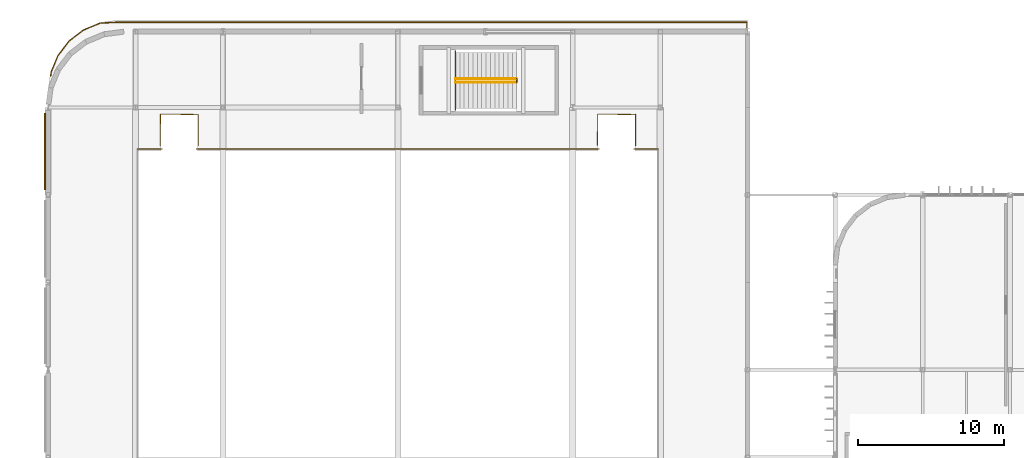
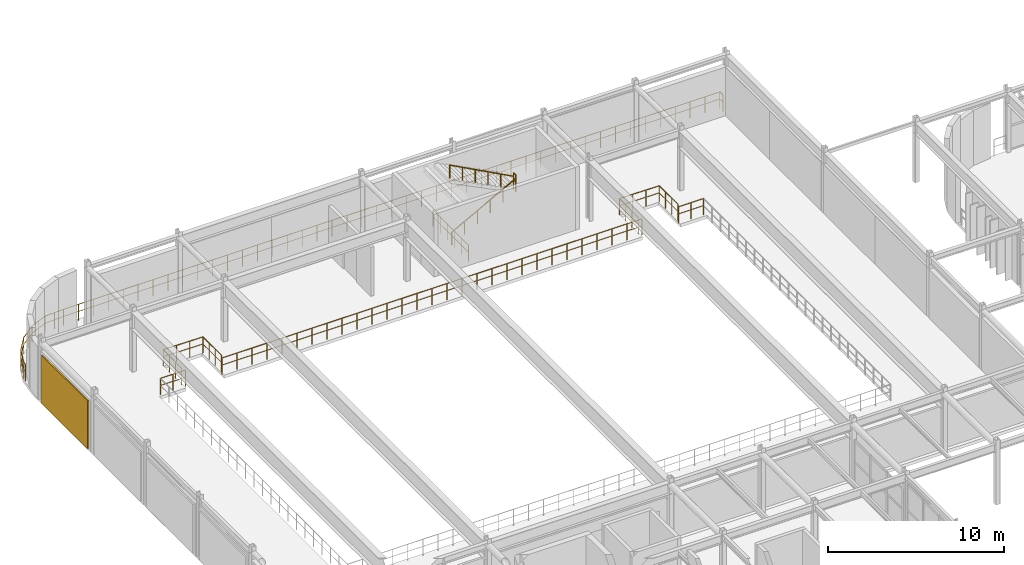
# One storey, part 89 of 96: 11 railings, 1 shading device.
"""IFC4 building model written with IfcOpenShell, lengths in metres."""

from ifc_helpers import new_model, si_unit, direction, frame, origin, origin_2d, place, context, subcontext, project, spatial, rectangle, circle, extrude, material, layer, layer_set, type_object, element, save


model = new_model("IFC4")

# Units and contexts
model_context = context("Model", 3, precision=1e-05, world=origin(), true_north=direction((0.0, 1.0)))
body_context = subcontext(model_context, "Body", "Model", "MODEL_VIEW")
ifc_project = project(units=[si_unit("LENGTHUNIT", "METRE"), si_unit("AREAUNIT", "SQUARE_METRE"), si_unit("VOLUMEUNIT", "CUBIC_METRE"), si_unit("PLANEANGLEUNIT", "RADIAN"), si_unit("MASSUNIT", "GRAM", prefix="KILO")], contexts=[model_context])

# Site, building, storey
site_placement = place(None, origin())
site = spatial("IfcSite", under=ifc_project, at=site_placement, CompositionType="ELEMENT")
building_placement = place(site_placement, origin())
building = spatial("IfcBuilding", under=site, at=building_placement, Name="Varnakota Square Police Headquarters", CompositionType="ELEMENT")
storey_placement = place(building_placement, frame((0.0, 0.0, 4.800048828125)))
storey = spatial("IfcBuildingStorey", under=building, at=storey_placement, Name="L01", CompositionType="ELEMENT", Elevation=4.800048828125)

# Railings
ifc_material_1 = material(Name="Galvanised Powder-Coated Steel Guardrail", Category="steel")
railing_type_1 = type_object("IfcRailingType", Name="RL-BAL-1150", PredefinedType="BALUSTRADE", material=ifc_material_1)
railing_1_placement = place(storey_placement, frame((6.17578125, 107.15283203125, 0.0)))
element("IfcRailing", 1, at=railing_1_placement, inside=storey, type_object=railing_type_1, Name="Perimeter edge safety guard GD-AUTO-L01-036", PredefinedType="BALUSTRADE", context=body_context, shape_type="SweptSolid", body=[
    extrude(circle(Radius=0.02392578125, at=origin_2d()), frame((0.0, 0.0, 1.1259765625), z_axis=(0.131360598818, 0.991334652415, 0.0), x_axis=(-0.991334652415, 0.131360598818, 0.0)), (0.0, 0.0, 1.0), 0.27880859375),
    extrude(circle(Radius=0.01806640625, at=origin_2d()), frame((0.0, 0.0, 0.63232421875), z_axis=(0.131360598818, 0.991334652415, 0.0), x_axis=(-0.991334652415, 0.131360598818, 0.0)), (0.0, 0.0, 1.0), 0.27880859375),
    extrude(circle(Radius=0.02392578125, at=origin_2d()), frame((0.03662109375, 0.2763671875, 1.1259765625), z_axis=(0.38260106809, 0.92391364461, 0.0), x_axis=(-0.92391364461, 0.38260106809, 0.0)), (0.0, 0.0, 1.0), 1.23974609375),
    extrude(circle(Radius=0.01806640625, at=origin_2d()), frame((0.03662109375, 0.2763671875, 0.63232421875), z_axis=(0.38260106809, 0.92391364461, 0.0), x_axis=(-0.92391364461, 0.38260106809, 0.0)), (0.0, 0.0, 1.0), 1.23974609375),
    extrude(circle(Radius=0.02392578125, at=origin_2d()), frame((0.510986328125, 1.421875, 1.1259765625), z_axis=(0.608815903339, 0.793311537696, 0.0), x_axis=(-0.793311537696, 0.608815903339, 0.0)), (0.0, 0.0, 1.0), 1.239990234375),
    extrude(circle(Radius=0.01806640625, at=origin_2d()), frame((0.510986328125, 1.421875, 0.63232421875), z_axis=(0.608815903339, 0.793311537696, 0.0), x_axis=(-0.793311537696, 0.608815903339, 0.0)), (0.0, 0.0, 1.0), 1.239990234375),
    extrude(circle(Radius=0.02392578125, at=origin_2d()), frame((1.265869140625, 2.405517578125, 1.1259765625), z_axis=(0.793311537696, 0.608815903339, 0.0), x_axis=(-0.608815903339, 0.793311537696, 0.0)), (0.0, 0.0, 1.0), 1.239990234375),
    extrude(circle(Radius=0.01806640625, at=origin_2d()), frame((1.265869140625, 2.405517578125, 0.63232421875), z_axis=(0.793311537696, 0.608815903339, 0.0), x_axis=(-0.608815903339, 0.793311537696, 0.0)), (0.0, 0.0, 1.0), 1.239990234375),
    extrude(circle(Radius=0.02392578125, at=origin_2d()), frame((2.24951171875, 3.160400390625, 1.1259765625), z_axis=(0.92391364461, 0.38260106809, 0.0), x_axis=(-0.38260106809, 0.92391364461, 0.0)), (0.0, 0.0, 1.0), 1.23974609375),
    extrude(circle(Radius=0.01806640625, at=origin_2d()), frame((2.24951171875, 3.160400390625, 0.63232421875), z_axis=(0.92391364461, 0.38260106809, 0.0), x_axis=(-0.38260106809, 0.92391364461, 0.0)), (0.0, 0.0, 1.0), 1.23974609375),
    extrude(circle(Radius=0.02392578125, at=origin_2d()), frame((3.39501953125, 3.634765625, 1.1259765625), z_axis=(0.99871656307, 0.05064806659, 0.0), x_axis=(-0.05064806659, 0.99871656307, 0.0)), (0.0, 0.0, 1.0), 1.23388671875),
    extrude(circle(Radius=0.01806640625, at=origin_2d()), frame((3.39501953125, 3.634765625, 0.63232421875), z_axis=(0.99871656307, 0.05064806659, 0.0), x_axis=(-0.05064806659, 0.99871656307, 0.0)), (0.0, 0.0, 1.0), 1.23388671875),
    extrude(circle(Radius=0.02392578125, at=origin_2d()), frame((4.62744140625, 3.697265625, 1.1259765625), z_axis=(1.0, 0.0, 0.0), x_axis=(0.0, 1.0, 0.0)), (0.0, 0.0, 1.0), 43.146728515625),
    extrude(circle(Radius=0.01806640625, at=origin_2d()), frame((4.62744140625, 3.697265625, 0.63232421875), z_axis=(1.0, 0.0, 0.0), x_axis=(0.0, 1.0, 0.0)), (0.0, 0.0, 1.0), 43.146728515625),
    extrude(circle(Radius=0.02392578125, at=origin_2d()), frame((47.774169921875, 3.697265625, 1.1259765625), z_axis=(0.0, -1.0, 0.0), x_axis=(1.0, 0.0, 0.0)), (0.0, 0.0, 1.0), 0.3505859375),
    extrude(circle(Radius=0.01806640625, at=origin_2d()), frame((47.774169921875, 3.697265625, 0.63232421875), z_axis=(0.0, -1.0, 0.0), x_axis=(1.0, 0.0, 0.0)), (0.0, 0.0, 1.0), 0.3505859375),
    extrude(circle(Radius=0.02099609375, at=origin_2d()), origin(), (0.0, 0.0, 1.0), 1.101806640625),
    extrude(circle(Radius=0.02099609375, at=origin_2d()), frame((0.03662109375, 0.2763671875, 0.0)), (0.0, 0.0, 1.0), 1.101806640625),
    extrude(circle(Radius=0.02099609375, at=origin_2d()), frame((0.27392578125, 0.84912109375, 0.0)), (0.0, 0.0, 1.0), 1.101806640625),
    extrude(circle(Radius=0.02099609375, at=origin_2d()), frame((0.510986328125, 1.421875, 0.0)), (0.0, 0.0, 1.0), 1.101806640625),
    extrude(circle(Radius=0.02099609375, at=origin_2d()), frame((0.888427734375, 1.91357421875, 0.0)), (0.0, 0.0, 1.0), 1.101806640625),
    extrude(circle(Radius=0.02099609375, at=origin_2d()), frame((1.265869140625, 2.405517578125, 0.0)), (0.0, 0.0, 1.0), 1.101806640625),
    extrude(circle(Radius=0.02099609375, at=origin_2d()), frame((1.7578125, 2.782958984375, 0.0)), (0.0, 0.0, 1.0), 1.101806640625),
    extrude(circle(Radius=0.02099609375, at=origin_2d()), frame((2.24951171875, 3.160400390625, 0.0)), (0.0, 0.0, 1.0), 1.101806640625),
    extrude(circle(Radius=0.02099609375, at=origin_2d()), frame((2.822265625, 3.3974609375, 0.0)), (0.0, 0.0, 1.0), 1.101806640625),
    extrude(circle(Radius=0.02099609375, at=origin_2d()), frame((3.39501953125, 3.634765625, 0.0)), (0.0, 0.0, 1.0), 1.101806640625),
    extrude(circle(Radius=0.02099609375, at=origin_2d()), frame((4.01123046875, 3.666015625, 0.0)), (0.0, 0.0, 1.0), 1.101806640625),
    extrude(circle(Radius=0.02099609375, at=origin_2d()), frame((4.62744140625, 3.697265625, 0.0)), (0.0, 0.0, 1.0), 1.101806640625),
    extrude(circle(Radius=0.02099609375, at=origin_2d()), frame((5.608154296875, 3.697265625, 0.0)), (0.0, 0.0, 1.0), 1.101806640625),
    extrude(circle(Radius=0.02099609375, at=origin_2d()), frame((6.588623046875, 3.697265625, 0.0)), (0.0, 0.0, 1.0), 1.101806640625),
    extrude(circle(Radius=0.02099609375, at=origin_2d()), frame((7.5693359375, 3.697265625, 0.0)), (0.0, 0.0, 1.0), 1.101806640625),
    extrude(circle(Radius=0.02099609375, at=origin_2d()), frame((8.5498046875, 3.697265625, 0.0)), (0.0, 0.0, 1.0), 1.101806640625),
    extrude(circle(Radius=0.02099609375, at=origin_2d()), frame((9.530517578125, 3.697265625, 0.0)), (0.0, 0.0, 1.0), 1.101806640625),
    extrude(circle(Radius=0.02099609375, at=origin_2d()), frame((10.510986328125, 3.697265625, 0.0)), (0.0, 0.0, 1.0), 1.101806640625),
    extrude(circle(Radius=0.02099609375, at=origin_2d()), frame((11.49169921875, 3.697265625, 0.0)), (0.0, 0.0, 1.0), 1.101806640625),
    extrude(circle(Radius=0.02099609375, at=origin_2d()), frame((12.472412109375, 3.697265625, 0.0)), (0.0, 0.0, 1.0), 1.101806640625),
    extrude(circle(Radius=0.02099609375, at=origin_2d()), frame((13.452880859375, 3.697265625, 0.0)), (0.0, 0.0, 1.0), 1.101806640625),
    extrude(circle(Radius=0.02099609375, at=origin_2d()), frame((14.43359375, 3.697265625, 0.0)), (0.0, 0.0, 1.0), 1.101806640625),
    extrude(circle(Radius=0.02099609375, at=origin_2d()), frame((15.4140625, 3.697265625, 0.0)), (0.0, 0.0, 1.0), 1.101806640625),
    extrude(circle(Radius=0.02099609375, at=origin_2d()), frame((16.394775390625, 3.697265625, 0.0)), (0.0, 0.0, 1.0), 1.101806640625),
    extrude(circle(Radius=0.02099609375, at=origin_2d()), frame((17.375244140625, 3.697265625, 0.0)), (0.0, 0.0, 1.0), 1.101806640625),
    extrude(circle(Radius=0.02099609375, at=origin_2d()), frame((18.35595703125, 3.697265625, 0.0)), (0.0, 0.0, 1.0), 1.101806640625),
    extrude(circle(Radius=0.02099609375, at=origin_2d()), frame((19.336669921875, 3.697265625, 0.0)), (0.0, 0.0, 1.0), 1.101806640625),
    extrude(circle(Radius=0.02099609375, at=origin_2d()), frame((20.317138671875, 3.697265625, 0.0)), (0.0, 0.0, 1.0), 1.101806640625),
    extrude(circle(Radius=0.02099609375, at=origin_2d()), frame((21.2978515625, 3.697265625, 0.0)), (0.0, 0.0, 1.0), 1.101806640625),
    extrude(circle(Radius=0.02099609375, at=origin_2d()), frame((22.2783203125, 3.697265625, 0.0)), (0.0, 0.0, 1.0), 1.101806640625),
    extrude(circle(Radius=0.02099609375, at=origin_2d()), frame((23.259033203125, 3.697265625, 0.0)), (0.0, 0.0, 1.0), 1.101806640625),
    extrude(circle(Radius=0.02099609375, at=origin_2d()), frame((24.239501953125, 3.697265625, 0.0)), (0.0, 0.0, 1.0), 1.101806640625),
    extrude(circle(Radius=0.02099609375, at=origin_2d()), frame((25.22021484375, 3.697265625, 0.0)), (0.0, 0.0, 1.0), 1.101806640625),
    extrude(circle(Radius=0.02099609375, at=origin_2d()), frame((26.20068359375, 3.697265625, 0.0)), (0.0, 0.0, 1.0), 1.101806640625),
    extrude(circle(Radius=0.02099609375, at=origin_2d()), frame((27.181396484375, 3.697265625, 0.0)), (0.0, 0.0, 1.0), 1.101806640625),
    extrude(circle(Radius=0.02099609375, at=origin_2d()), frame((28.162109375, 3.697265625, 0.0)), (0.0, 0.0, 1.0), 1.101806640625),
    extrude(circle(Radius=0.02099609375, at=origin_2d()), frame((29.142578125, 3.697265625, 0.0)), (0.0, 0.0, 1.0), 1.101806640625),
    extrude(circle(Radius=0.02099609375, at=origin_2d()), frame((30.123291015625, 3.697265625, 0.0)), (0.0, 0.0, 1.0), 1.101806640625),
    extrude(circle(Radius=0.02099609375, at=origin_2d()), frame((31.103759765625, 3.697265625, 0.0)), (0.0, 0.0, 1.0), 1.101806640625),
    extrude(circle(Radius=0.02099609375, at=origin_2d()), frame((32.08447265625, 3.697265625, 0.0)), (0.0, 0.0, 1.0), 1.101806640625),
    extrude(circle(Radius=0.02099609375, at=origin_2d()), frame((33.06494140625, 3.697265625, 0.0)), (0.0, 0.0, 1.0), 1.101806640625),
    extrude(circle(Radius=0.02099609375, at=origin_2d()), frame((34.045654296875, 3.697265625, 0.0)), (0.0, 0.0, 1.0), 1.101806640625),
    extrude(circle(Radius=0.02099609375, at=origin_2d()), frame((35.0263671875, 3.697265625, 0.0)), (0.0, 0.0, 1.0), 1.101806640625),
    extrude(circle(Radius=0.02099609375, at=origin_2d()), frame((36.0068359375, 3.697265625, 0.0)), (0.0, 0.0, 1.0), 1.101806640625),
    extrude(circle(Radius=0.02099609375, at=origin_2d()), frame((36.987548828125, 3.697265625, 0.0)), (0.0, 0.0, 1.0), 1.101806640625),
    extrude(circle(Radius=0.02099609375, at=origin_2d()), frame((37.968017578125, 3.697265625, 0.0)), (0.0, 0.0, 1.0), 1.101806640625),
    extrude(circle(Radius=0.02099609375, at=origin_2d()), frame((38.94873046875, 3.697265625, 0.0)), (0.0, 0.0, 1.0), 1.101806640625),
    extrude(circle(Radius=0.02099609375, at=origin_2d()), frame((39.92919921875, 3.697265625, 0.0)), (0.0, 0.0, 1.0), 1.101806640625),
    extrude(circle(Radius=0.02099609375, at=origin_2d()), frame((40.909912109375, 3.697265625, 0.0)), (0.0, 0.0, 1.0), 1.101806640625),
    extrude(circle(Radius=0.02099609375, at=origin_2d()), frame((41.890625, 3.697265625, 0.0)), (0.0, 0.0, 1.0), 1.101806640625),
    extrude(circle(Radius=0.02099609375, at=origin_2d()), frame((42.87109375, 3.697265625, 0.0)), (0.0, 0.0, 1.0), 1.101806640625),
    extrude(circle(Radius=0.02099609375, at=origin_2d()), frame((43.851806640625, 3.697265625, 0.0)), (0.0, 0.0, 1.0), 1.101806640625),
    extrude(circle(Radius=0.02099609375, at=origin_2d()), frame((44.832275390625, 3.697265625, 0.0)), (0.0, 0.0, 1.0), 1.101806640625),
    extrude(circle(Radius=0.02099609375, at=origin_2d()), frame((45.81298828125, 3.697265625, 0.0)), (0.0, 0.0, 1.0), 1.101806640625),
    extrude(circle(Radius=0.02099609375, at=origin_2d()), frame((46.79345703125, 3.697265625, 0.0)), (0.0, 0.0, 1.0), 1.101806640625),
    extrude(circle(Radius=0.02099609375, at=origin_2d()), frame((47.774169921875, 3.697265625, 0.0)), (0.0, 0.0, 1.0), 1.101806640625),
    extrude(circle(Radius=0.02099609375, at=origin_2d()), frame((47.774169921875, 3.3466796875, 0.0)), (0.0, 0.0, 1.0), 1.101806640625),
])
railing_2_placement = place(storey_placement, frame((46.304931640625, 104.5048828125, 0.0)))
element("IfcRailing", 2, at=railing_2_placement, inside=storey, type_object=railing_type_1, Name="Perimeter edge safety guard GD-AUTO-L01-047", PredefinedType="BALUSTRADE", context=body_context, shape_type="SweptSolid", body=[
    extrude(circle(Radius=0.02392578125, at=origin_2d()), frame((0.0, 0.0, 1.1259765625), z_axis=(-0.999887836595, 0.014977123506, 0.0), x_axis=(-0.014977123506, -0.999887836595, 0.0)), (0.0, 0.0, 1.0), 2.591796875),
    extrude(circle(Radius=0.01806640625, at=origin_2d()), frame((0.0, 0.0, 0.63232421875), z_axis=(-0.999887836595, 0.014977123506, 0.0), x_axis=(-0.014977123506, -0.999887836595, 0.0)), (0.0, 0.0, 1.0), 2.591796875),
    extrude(circle(Radius=0.02392578125, at=origin_2d()), frame((-2.591552734375, 0.038818359375, 1.1259765625), z_axis=(-0.008501166383, -0.999963864432, 0.0), x_axis=(0.999963864432, -0.008501166383, 0.0)), (0.0, 0.0, 1.0), 2.15380859375),
    extrude(circle(Radius=0.01806640625, at=origin_2d()), frame((-2.591552734375, 0.038818359375, 0.63232421875), z_axis=(-0.008501166383, -0.999963864432, 0.0), x_axis=(0.999963864432, -0.008501166383, 0.0)), (0.0, 0.0, 1.0), 2.15380859375),
    extrude(circle(Radius=0.02099609375, at=origin_2d()), origin(), (0.0, 0.0, 1.0), 1.101806640625),
    extrude(circle(Radius=0.02099609375, at=origin_2d()), frame((-0.86376953125, 0.012939453125, 0.0)), (0.0, 0.0, 1.0), 1.101806640625),
    extrude(circle(Radius=0.02099609375, at=origin_2d()), frame((-1.727783203125, 0.02587890625, 0.0)), (0.0, 0.0, 1.0), 1.101806640625),
    extrude(circle(Radius=0.02099609375, at=origin_2d()), frame((-2.591552734375, 0.038818359375, 0.0)), (0.0, 0.0, 1.0), 1.101806640625),
    extrude(circle(Radius=0.02099609375, at=origin_2d()), frame((-2.59765625, -0.67919921875, 0.0)), (0.0, 0.0, 1.0), 1.101806640625),
    extrude(circle(Radius=0.02099609375, at=origin_2d()), frame((-2.603759765625, -1.39697265625, 0.0)), (0.0, 0.0, 1.0), 1.101806640625),
    extrude(circle(Radius=0.02099609375, at=origin_2d()), frame((-2.60986328125, -2.114990234375, 0.0)), (0.0, 0.0, 1.0), 1.101806640625),
])
railing_3_placement = place(storey_placement, frame((16.304931640625, 102.389892578125, 0.0)))
element("IfcRailing", 3, at=railing_3_placement, inside=storey, type_object=railing_type_1, Name="Perimeter edge safety guard GD-AUTO-L01-048", PredefinedType="BALUSTRADE", context=body_context, shape_type="SweptSolid", body=[
    extrude(circle(Radius=0.02392578125, at=origin_2d()), frame((0.0, 0.0, 1.1259765625), z_axis=(0.0, 1.0, 0.0), x_axis=(-1.0, 0.0, 0.0)), (0.0, 0.0, 1.0), 2.114990234375),
    extrude(circle(Radius=0.01806640625, at=origin_2d()), frame((0.0, 0.0, 0.63232421875), z_axis=(0.0, 1.0, 0.0), x_axis=(-1.0, 0.0, 0.0)), (0.0, 0.0, 1.0), 2.114990234375),
    extrude(circle(Radius=0.02392578125, at=origin_2d()), frame((0.0, 2.114990234375, 1.1259765625), z_axis=(-0.999887836595, 0.014977123506, 0.0), x_axis=(-0.014977123506, -0.999887836595, 0.0)), (0.0, 0.0, 1.0), 2.591796875),
    extrude(circle(Radius=0.01806640625, at=origin_2d()), frame((0.0, 2.114990234375, 0.63232421875), z_axis=(-0.999887836595, 0.014977123506, 0.0), x_axis=(-0.014977123506, -0.999887836595, 0.0)), (0.0, 0.0, 1.0), 2.591796875),
    extrude(circle(Radius=0.02392578125, at=origin_2d()), frame((-2.591552734375, 2.15380859375, 1.1259765625), z_axis=(-0.008501166383, -0.999963864432, 0.0), x_axis=(0.999963864432, -0.008501166383, 0.0)), (0.0, 0.0, 1.0), 2.15380859375),
    extrude(circle(Radius=0.01806640625, at=origin_2d()), frame((-2.591552734375, 2.15380859375, 0.63232421875), z_axis=(-0.008501166383, -0.999963864432, 0.0), x_axis=(0.999963864432, -0.008501166383, 0.0)), (0.0, 0.0, 1.0), 2.15380859375),
    extrude(circle(Radius=0.02099609375, at=origin_2d()), origin(), (0.0, 0.0, 1.0), 1.101806640625),
    extrude(circle(Radius=0.02099609375, at=origin_2d()), frame((0.0, 0.705078125, 0.0)), (0.0, 0.0, 1.0), 1.101806640625),
    extrude(circle(Radius=0.02099609375, at=origin_2d()), frame((0.0, 1.409912109375, 0.0)), (0.0, 0.0, 1.0), 1.101806640625),
    extrude(circle(Radius=0.02099609375, at=origin_2d()), frame((0.0, 2.114990234375, 0.0)), (0.0, 0.0, 1.0), 1.101806640625),
    extrude(circle(Radius=0.02099609375, at=origin_2d()), frame((-0.86376953125, 2.1279296875, 0.0)), (0.0, 0.0, 1.0), 1.101806640625),
    extrude(circle(Radius=0.02099609375, at=origin_2d()), frame((-1.727783203125, 2.140869140625, 0.0)), (0.0, 0.0, 1.0), 1.101806640625),
    extrude(circle(Radius=0.02099609375, at=origin_2d()), frame((-2.591552734375, 2.15380859375, 0.0)), (0.0, 0.0, 1.0), 1.101806640625),
    extrude(circle(Radius=0.02099609375, at=origin_2d()), frame((-2.59765625, 1.435791015625, 0.0)), (0.0, 0.0, 1.0), 1.101806640625),
    extrude(circle(Radius=0.02099609375, at=origin_2d()), frame((-2.603759765625, 0.718017578125, 0.0)), (0.0, 0.0, 1.0), 1.101806640625),
    extrude(circle(Radius=0.02099609375, at=origin_2d()), frame((-2.60986328125, 0.0, 0.0)), (0.0, 0.0, 1.0), 1.101806640625),
])
railing_4_placement = place(storey_placement, frame((46.304931640625, 102.389892578125, 0.0)))
element("IfcRailing", 4, at=railing_4_placement, inside=storey, type_object=railing_type_1, Name="Perimeter edge safety guard GD-AUTO-L01-049", PredefinedType="BALUSTRADE", context=body_context, shape_type="SweptSolid", body=[
    extrude(circle(Radius=0.02392578125, at=origin_2d()), frame((0.0, 0.0, 1.1259765625), z_axis=(0.0, 1.0, 0.0), x_axis=(-1.0, 0.0, 0.0)), (0.0, 0.0, 1.0), 2.114990234375),
    extrude(circle(Radius=0.01806640625, at=origin_2d()), frame((0.0, 0.0, 0.63232421875), z_axis=(0.0, 1.0, 0.0), x_axis=(-1.0, 0.0, 0.0)), (0.0, 0.0, 1.0), 2.114990234375),
    extrude(circle(Radius=0.02099609375, at=origin_2d()), origin(), (0.0, 0.0, 1.0), 1.101806640625),
    extrude(circle(Radius=0.02099609375, at=origin_2d()), frame((0.0, 0.705078125, 0.0)), (0.0, 0.0, 1.0), 1.101806640625),
    extrude(circle(Radius=0.02099609375, at=origin_2d()), frame((0.0, 1.409912109375, 0.0)), (0.0, 0.0, 1.0), 1.101806640625),
    extrude(circle(Radius=0.02099609375, at=origin_2d()), frame((0.0, 2.114990234375, 0.0)), (0.0, 0.0, 1.0), 1.101806640625),
])
ifc_material_2 = material(Name="Brushed Stainless Steel Tubular Handrail", Category="steel")
railing_type_2 = type_object("IfcRailingType", Name="RL-HND-920", PredefinedType="HANDRAIL", material=ifc_material_2)
railing_5_placement = place(storey_placement, frame((33.949951171875, 106.72998046875, 0.0)))
element("IfcRailing", 5, at=railing_5_placement, inside=storey, type_object=railing_type_2, Name="Stair flight handrail HR-L01-079", PredefinedType="HANDRAIL", context=body_context, shape_type="SweptSolid", body=[
    extrude(circle(Radius=0.02392578125, at=origin_2d()), frame((0.0, 0.0, 0.89599609375), z_axis=(0.881511956786, 0.0, 0.472161699043), x_axis=(0.0, 1.0, 0.0)), (0.0, 0.0, 1.0), 4.765380859375),
    extrude(circle(Radius=0.02099609375, at=origin_2d()), origin(), (0.0, 0.0, 1.0), 0.871826171875),
    extrude(circle(Radius=0.02099609375, at=origin_2d()), frame((0.840087890625, 0.0, 0.449951171875)), (0.0, 0.0, 1.0), 0.871826171875),
    extrude(circle(Radius=0.02099609375, at=origin_2d()), frame((1.68017578125, 0.0, 0.89990234375)), (0.0, 0.0, 1.0), 0.871826171875),
    extrude(circle(Radius=0.02099609375, at=origin_2d()), frame((2.5205078125, 0.0, 1.35009765625)), (0.0, 0.0, 1.0), 0.871826171875),
    extrude(circle(Radius=0.02099609375, at=origin_2d()), frame((3.360595703125, 0.0, 1.800048828125)), (0.0, 0.0, 1.0), 0.871826171875),
    extrude(circle(Radius=0.02099609375, at=origin_2d()), frame((4.20068359375, 0.0, 2.25)), (0.0, 0.0, 1.0), 0.871826171875),
])
railing_6_placement = place(storey_placement, frame((38.150634765625, 106.969970703125, 2.25)))
element("IfcRailing", 6, at=railing_6_placement, inside=storey, type_object=railing_type_2, Name="Stair flight handrail HR-L01-080", PredefinedType="HANDRAIL", context=body_context, shape_type="SweptSolid", body=[
    extrude(circle(Radius=0.02392578125, at=origin_2d()), frame((0.0, 0.0, 0.89599609375), z_axis=(-0.881511956786, 0.0, 0.472161699043), x_axis=(0.0, -1.0, 0.0)), (0.0, 0.0, 1.0), 4.765380859375),
    extrude(circle(Radius=0.02099609375, at=origin_2d()), origin(), (0.0, 0.0, 1.0), 0.871826171875),
    extrude(circle(Radius=0.02099609375, at=origin_2d()), frame((-0.840087890625, 0.0, 0.449951171875)), (0.0, 0.0, 1.0), 0.871826171875),
    extrude(circle(Radius=0.02099609375, at=origin_2d()), frame((-1.68017578125, 0.0, 0.89990234375)), (0.0, 0.0, 1.0), 0.871826171875),
    extrude(circle(Radius=0.02099609375, at=origin_2d()), frame((-2.5205078125, 0.0, 1.35009765625)), (0.0, 0.0, 1.0), 0.871826171875),
    extrude(circle(Radius=0.02099609375, at=origin_2d()), frame((-3.360595703125, 0.0, 1.800048828125)), (0.0, 0.0, 1.0), 0.871826171875),
    extrude(circle(Radius=0.02099609375, at=origin_2d()), frame((-4.20068359375, 0.0, 2.25)), (0.0, 0.0, 1.0), 0.871826171875),
])
ifc_material_3 = material(Name="Laminated Glass and Stainless Steel Balustrade", Category="steel")
railing_type_3 = type_object("IfcRailingType", Name="RL-INT-1150", PredefinedType="BALUSTRADE", material=ifc_material_3)
railing_7_placement = place(storey_placement, frame((33.949951171875, 104.840087890625, 0.0)))
element("IfcRailing", 7, at=railing_7_placement, inside=storey, type_object=railing_type_3, Name="Stair well safety guard C7 L01", PredefinedType="BALUSTRADE", context=body_context, shape_type="SweptSolid", body=[
    extrude(circle(Radius=0.02392578125, at=origin_2d()), frame((0.0, 0.0, 1.1259765625), z_axis=(0.0, 1.0, 0.0), x_axis=(-1.0, 0.0, 0.0)), (0.0, 0.0, 1.0), 4.02001953125),
    extrude(circle(Radius=0.01806640625, at=origin_2d()), frame((0.0, 0.0, 0.63232421875), z_axis=(0.0, 1.0, 0.0), x_axis=(-1.0, 0.0, 0.0)), (0.0, 0.0, 1.0), 4.02001953125),
    extrude(circle(Radius=0.02099609375, at=origin_2d()), origin(), (0.0, 0.0, 1.0), 1.101806640625),
    extrude(circle(Radius=0.02099609375, at=origin_2d()), frame((0.0, 0.803955078125, 0.0)), (0.0, 0.0, 1.0), 1.101806640625),
    extrude(circle(Radius=0.02099609375, at=origin_2d()), frame((0.0, 1.60791015625, 0.0)), (0.0, 0.0, 1.0), 1.101806640625),
    extrude(circle(Radius=0.02099609375, at=origin_2d()), frame((0.0, 2.412109375, 0.0)), (0.0, 0.0, 1.0), 1.101806640625),
    extrude(circle(Radius=0.02099609375, at=origin_2d()), frame((0.0, 3.216064453125, 0.0)), (0.0, 0.0, 1.0), 1.101806640625),
    extrude(circle(Radius=0.02099609375, at=origin_2d()), frame((0.0, 4.02001953125, 0.0)), (0.0, 0.0, 1.0), 1.101806640625),
])
railing_8_placement = place(storey_placement, frame((38.150634765625, 106.719970703125, 2.25)))
element("IfcRailing", 8, at=railing_8_placement, inside=storey, type_object=railing_type_3, Name="Half-landing well guard C7 L01", PredefinedType="BALUSTRADE", context=body_context, shape_type="SweptSolid", body=[
    extrude(circle(Radius=0.02392578125, at=origin_2d()), frame((0.0, 0.0, 1.1259765625), z_axis=(0.0, 1.0, 0.0), x_axis=(-1.0, 0.0, 0.0)), (0.0, 0.0, 1.0), 0.260009765625),
    extrude(circle(Radius=0.01806640625, at=origin_2d()), frame((0.0, 0.0, 0.63232421875), z_axis=(0.0, 1.0, 0.0), x_axis=(-1.0, 0.0, 0.0)), (0.0, 0.0, 1.0), 0.260009765625),
    extrude(circle(Radius=0.02099609375, at=origin_2d()), origin(), (0.0, 0.0, 1.0), 1.101806640625),
    extrude(circle(Radius=0.02099609375, at=origin_2d()), frame((0.0, 0.260009765625, 0.0)), (0.0, 0.0, 1.0), 1.101806640625),
])
railing_9_placement = place(storey_placement, frame((47.85009765625, 102.14990234375, 0.0)))
element("IfcRailing", 9, at=railing_9_placement, inside=storey, type_object=railing_type_3, Name="Auditorium and range gallery balustrade", PredefinedType="BALUSTRADE", context=body_context, shape_type="SweptSolid", body=[
    extrude(circle(Radius=0.02392578125, at=origin_2d()), frame((0.0, 0.0, 1.1259765625), z_axis=(-1.0, 0.0, 0.0), x_axis=(0.0, -1.0, 0.0)), (0.0, 0.0, 1.0), 1.650146484375),
    extrude(circle(Radius=0.01806640625, at=origin_2d()), frame((0.0, 0.0, 0.63232421875), z_axis=(-1.0, 0.0, 0.0), x_axis=(0.0, -1.0, 0.0)), (0.0, 0.0, 1.0), 1.650146484375),
    extrude(circle(Radius=0.02099609375, at=origin_2d()), origin(), (0.0, 0.0, 1.0), 1.101806640625),
    extrude(circle(Radius=0.02099609375, at=origin_2d()), frame((-0.8251953125, 0.0, 0.0)), (0.0, 0.0, 1.0), 1.101806640625),
    extrude(circle(Radius=0.02099609375, at=origin_2d()), frame((-1.650146484375, 0.0, 0.0)), (0.0, 0.0, 1.0), 1.101806640625),
])
railing_10_placement = place(storey_placement, frame((43.800048828125, 102.14990234375, 0.0)))
element("IfcRailing", 10, at=railing_10_placement, inside=storey, type_object=railing_type_3, Name="Auditorium and range gallery balustrade", PredefinedType="BALUSTRADE", context=body_context, shape_type="SweptSolid", body=[
    extrude(circle(Radius=0.02392578125, at=origin_2d()), frame((0.0, 0.0, 1.1259765625), z_axis=(-1.0, 0.0, 0.0), x_axis=(0.0, -1.0, 0.0)), (0.0, 0.0, 1.0), 27.60009765625),
    extrude(circle(Radius=0.01806640625, at=origin_2d()), frame((0.0, 0.0, 0.63232421875), z_axis=(-1.0, 0.0, 0.0), x_axis=(0.0, -1.0, 0.0)), (0.0, 0.0, 1.0), 27.60009765625),
    extrude(circle(Radius=0.02099609375, at=origin_2d()), origin(), (0.0, 0.0, 1.0), 1.101806640625),
    extrude(circle(Radius=0.02099609375, at=origin_2d()), frame((-0.98583984375, 0.0, 0.0)), (0.0, 0.0, 1.0), 1.101806640625),
    extrude(circle(Radius=0.02099609375, at=origin_2d()), frame((-1.971435546875, 0.0, 0.0)), (0.0, 0.0, 1.0), 1.101806640625),
    extrude(circle(Radius=0.02099609375, at=origin_2d()), frame((-2.95703125, 0.0, 0.0)), (0.0, 0.0, 1.0), 1.101806640625),
    extrude(circle(Radius=0.02099609375, at=origin_2d()), frame((-3.94287109375, 0.0, 0.0)), (0.0, 0.0, 1.0), 1.101806640625),
    extrude(circle(Radius=0.02099609375, at=origin_2d()), frame((-4.9287109375, 0.0, 0.0)), (0.0, 0.0, 1.0), 1.101806640625),
    extrude(circle(Radius=0.02099609375, at=origin_2d()), frame((-5.914306640625, 0.0, 0.0)), (0.0, 0.0, 1.0), 1.101806640625),
    extrude(circle(Radius=0.02099609375, at=origin_2d()), frame((-6.89990234375, 0.0, 0.0)), (0.0, 0.0, 1.0), 1.101806640625),
    extrude(circle(Radius=0.02099609375, at=origin_2d()), frame((-7.8857421875, 0.0, 0.0)), (0.0, 0.0, 1.0), 1.101806640625),
    extrude(circle(Radius=0.02099609375, at=origin_2d()), frame((-8.87158203125, 0.0, 0.0)), (0.0, 0.0, 1.0), 1.101806640625),
    extrude(circle(Radius=0.02099609375, at=origin_2d()), frame((-9.857177734375, 0.0, 0.0)), (0.0, 0.0, 1.0), 1.101806640625),
    extrude(circle(Radius=0.02099609375, at=origin_2d()), frame((-10.8427734375, 0.0, 0.0)), (0.0, 0.0, 1.0), 1.101806640625),
    extrude(circle(Radius=0.02099609375, at=origin_2d()), frame((-11.82861328125, 0.0, 0.0)), (0.0, 0.0, 1.0), 1.101806640625),
    extrude(circle(Radius=0.02099609375, at=origin_2d()), frame((-12.814453125, 0.0, 0.0)), (0.0, 0.0, 1.0), 1.101806640625),
    extrude(circle(Radius=0.02099609375, at=origin_2d()), frame((-13.800048828125, 0.0, 0.0)), (0.0, 0.0, 1.0), 1.101806640625),
    extrude(circle(Radius=0.02099609375, at=origin_2d()), frame((-14.78564453125, 0.0, 0.0)), (0.0, 0.0, 1.0), 1.101806640625),
    extrude(circle(Radius=0.02099609375, at=origin_2d()), frame((-15.771484375, 0.0, 0.0)), (0.0, 0.0, 1.0), 1.101806640625),
    extrude(circle(Radius=0.02099609375, at=origin_2d()), frame((-16.75732421875, 0.0, 0.0)), (0.0, 0.0, 1.0), 1.101806640625),
    extrude(circle(Radius=0.02099609375, at=origin_2d()), frame((-17.742919921875, 0.0, 0.0)), (0.0, 0.0, 1.0), 1.101806640625),
    extrude(circle(Radius=0.02099609375, at=origin_2d()), frame((-18.728515625, 0.0, 0.0)), (0.0, 0.0, 1.0), 1.101806640625),
    extrude(circle(Radius=0.02099609375, at=origin_2d()), frame((-19.71435546875, 0.0, 0.0)), (0.0, 0.0, 1.0), 1.101806640625),
    extrude(circle(Radius=0.02099609375, at=origin_2d()), frame((-20.7001953125, 0.0, 0.0)), (0.0, 0.0, 1.0), 1.101806640625),
    extrude(circle(Radius=0.02099609375, at=origin_2d()), frame((-21.685791015625, 0.0, 0.0)), (0.0, 0.0, 1.0), 1.101806640625),
    extrude(circle(Radius=0.02099609375, at=origin_2d()), frame((-22.67138671875, 0.0, 0.0)), (0.0, 0.0, 1.0), 1.101806640625),
    extrude(circle(Radius=0.02099609375, at=origin_2d()), frame((-23.6572265625, 0.0, 0.0)), (0.0, 0.0, 1.0), 1.101806640625),
    extrude(circle(Radius=0.02099609375, at=origin_2d()), frame((-24.64306640625, 0.0, 0.0)), (0.0, 0.0, 1.0), 1.101806640625),
    extrude(circle(Radius=0.02099609375, at=origin_2d()), frame((-25.628662109375, 0.0, 0.0)), (0.0, 0.0, 1.0), 1.101806640625),
    extrude(circle(Radius=0.02099609375, at=origin_2d()), frame((-26.6142578125, 0.0, 0.0)), (0.0, 0.0, 1.0), 1.101806640625),
    extrude(circle(Radius=0.02099609375, at=origin_2d()), frame((-27.60009765625, 0.0, 0.0)), (0.0, 0.0, 1.0), 1.101806640625),
])
railing_11_placement = place(storey_placement, frame((13.800048828125, 102.14990234375, 0.0)))
element("IfcRailing", 11, at=railing_11_placement, inside=storey, type_object=railing_type_3, Name="Auditorium and range gallery balustrade", PredefinedType="BALUSTRADE", context=body_context, shape_type="SweptSolid", body=[
    extrude(circle(Radius=0.02392578125, at=origin_2d()), frame((0.0, 0.0, 1.1259765625), z_axis=(-1.0, 0.0, 0.0), x_axis=(0.0, -1.0, 0.0)), (0.0, 0.0, 1.0), 1.650146484375),
    extrude(circle(Radius=0.01806640625, at=origin_2d()), frame((0.0, 0.0, 0.63232421875), z_axis=(-1.0, 0.0, 0.0), x_axis=(0.0, -1.0, 0.0)), (0.0, 0.0, 1.0), 1.650146484375),
    extrude(circle(Radius=0.02099609375, at=origin_2d()), origin(), (0.0, 0.0, 1.0), 1.101806640625),
    extrude(circle(Radius=0.02099609375, at=origin_2d()), frame((-0.8251953125, 0.0, 0.0)), (0.0, 0.0, 1.0), 1.101806640625),
    extrude(circle(Radius=0.02099609375, at=origin_2d()), frame((-1.650146484375, 0.0, 0.0)), (0.0, 0.0, 1.0), 1.101806640625),
])

# Shading device
ifc_material_4 = material(Name="Perforated Sandstone-Toned GRC Jali Screen", Category="masonry")
ifc_layer = layer(ifc_material_4, 0.080078125, Name="Perforated Sandstone-Toned GRC Jali Screen")
ifc_layer_set = layer_set([ifc_layer], Name="Perforated Sandstone-Toned GRC Jali Screen")
shading_device_type = type_object("IfcShadingDeviceType", Name="SHD-SCR-GRC", PredefinedType="USERDEFINED", material=ifc_layer_set)
shading_device_placement = place(storey_placement, frame((5.7919921875, 101.97509765625, 0.14990234375), z_axis=(0.0, 0.0, 1.0), x_axis=(0.0, 1.0, 0.0)))
element("IfcShadingDevice", 12, at=shading_device_placement, inside=storey, type_object=shading_device_type, Name="Perforated GRC solar screen SCR-032", ObjectType="SOLAR SCREEN", PredefinedType="USERDEFINED", context=body_context, shape_type="SweptSolid", body=[
    extrude(rectangle(XDim=5.241943359375, YDim=0.080078125, at=origin_2d()), origin(), (0.0, 0.0, 1.0), 3.340087890625),
])

save(model, "model.ifc")
